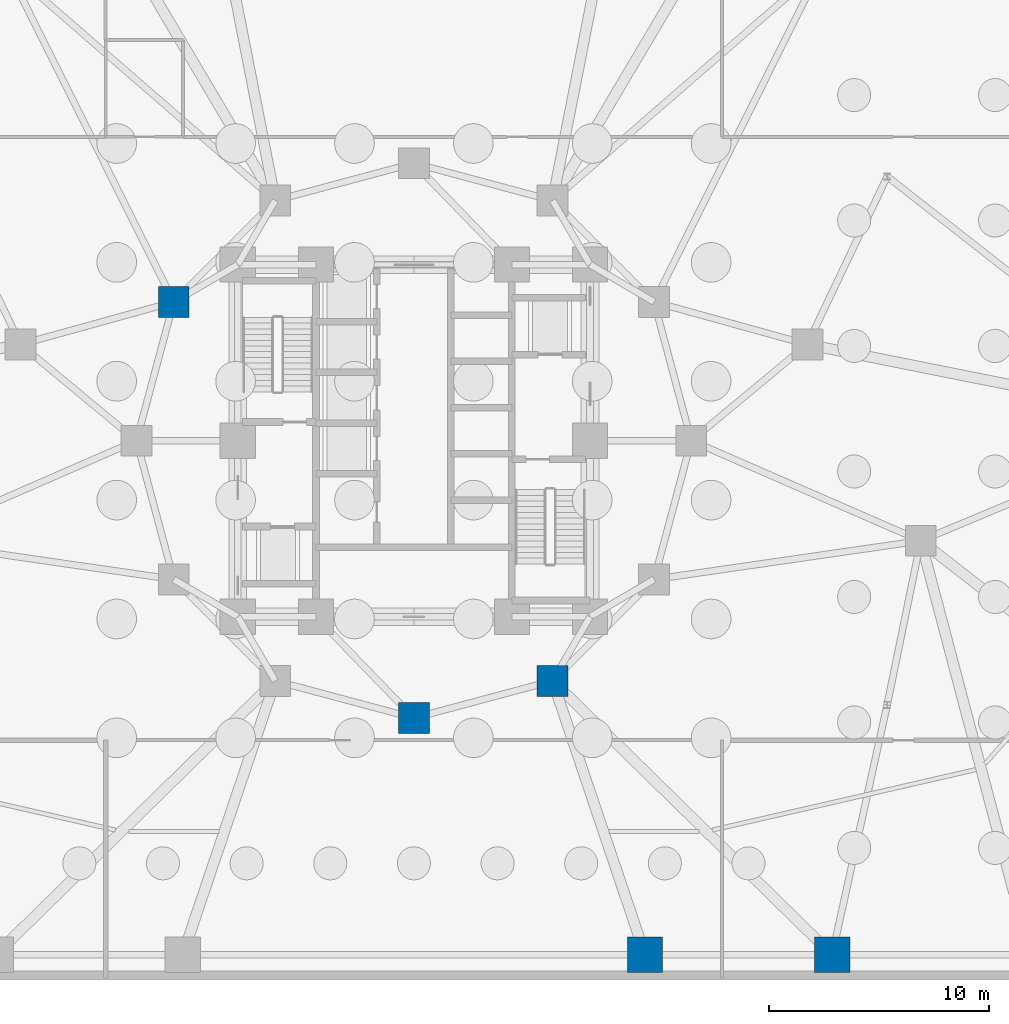
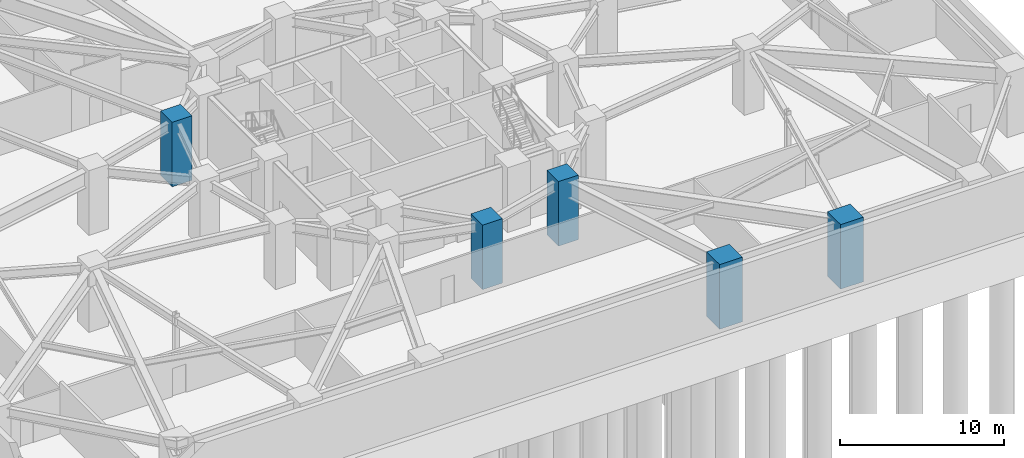
# One storey, part 3 of 20: 5 columns.
"""IFC4 building model written with IfcOpenShell, lengths in metres."""

from ifc_helpers import new_model, si_unit, direction, frame, origin, origin_2d, place, context, subcontext, project, spatial, rectangle, extrude, material, material_profile, profile_set, type_object, element, save


model = new_model("IFC4")

# Units and contexts
model_context = context("Model", 3, precision=1e-05, world=origin(), true_north=direction((0.0, 1.0)))
body_context = subcontext(model_context, "Body", "Model", "MODEL_VIEW")
ifc_project = project(units=[si_unit("LENGTHUNIT", "METRE"), si_unit("AREAUNIT", "SQUARE_METRE"), si_unit("VOLUMEUNIT", "CUBIC_METRE"), si_unit("PLANEANGLEUNIT", "RADIAN"), si_unit("MASSUNIT", "GRAM", prefix="KILO")], contexts=[model_context])

# Site, building, storey
site_placement = place(None, origin())
site = spatial("IfcSite", under=ifc_project, at=site_placement, CompositionType="ELEMENT")
building_placement = place(site_placement, origin())
building = spatial("IfcBuilding", under=site, at=building_placement, Name="Terralouvre Media Tower", CompositionType="ELEMENT")
storey_placement = place(building_placement, frame((0.0, 0.0, -9.60009765625)))
storey = spatial("IfcBuildingStorey", under=building, at=storey_placement, Name="B02", CompositionType="ELEMENT", Elevation=-9.60009765625)

# Columns
ifc_material_1 = material(Name="Concrete C60/75", Category="concrete")
ifc_material_profile_1 = material_profile(ifc_material_1, rectangle(XDim=1.39990234375, YDim=1.39990234375, at=origin_2d()), Name="RC 1400x1400")
ifc_profile_set_1 = profile_set([ifc_material_profile_1], Name="Concrete C60/75")
column_type_1 = type_object("IfcColumnType", Name="Structural Column C-RC1400 (RC 1400x1400)", PredefinedType="COLUMN", material=ifc_profile_set_1)
for number, where, z_axis, x_axis, name in (
    (1, (-10.911865234375, 6.300048828125, 0.0), (0.0, 0.0, 1.0), (1.0, 0.0, 0.0), "B02 Mega-Frame Column MC06"),
    (2, (0.0, -12.60009765625, 0.0), (0.0, 0.0, 1.0), (1.0, 0.0, 0.0), "B02 Mega-Frame Column MC10"),
    (3, (6.300048828125, -10.911865234375, 0.0), (0.0, 0.0, 1.0), (1.0, 0.0, 0.0), "B02 Mega-Frame Column MC11"),
):
    element("IfcColumn", number, at=place(storey_placement, frame(where, z_axis=z_axis, x_axis=x_axis)), inside=storey, type_object=column_type_1, Name=name, PredefinedType="COLUMN", context=body_context, shape_type="SweptSolid", body=[
        extrude(rectangle(XDim=1.39990234375, YDim=1.39990234375, at=origin_2d()), origin(), (0.0, 0.0, 1.0), 4.800048828125),
    ])
ifc_material_2 = material(Name="Concrete C60/75", Category="concrete")
ifc_material_profile_2 = material_profile(ifc_material_2, rectangle(XDim=1.60009765625, YDim=1.60009765625, at=origin_2d()), Name="RC 1600x1600")
ifc_profile_set_2 = profile_set([ifc_material_profile_2], Name="Concrete C60/75")
column_type_2 = type_object("IfcColumnType", Name="Structural Column C-RC1600 (RC 1600x1600)", PredefinedType="COLUMN", material=ifc_profile_set_2)
for number, where, z_axis, x_axis, name in (
    (4, (10.5, -23.35009765625, 0.0), (0.0, 0.0, 1.0), (1.0, 0.0, 0.0), "B02 Perimeter Mega-Column PM04"),
    (5, (19.0, -23.35009765625, 0.0), (0.0, 0.0, 1.0), (1.0, 0.0, 0.0), "B02 Perimeter Mega-Column PM05"),
):
    element("IfcColumn", number, at=place(storey_placement, frame(where, z_axis=z_axis, x_axis=x_axis)), inside=storey, type_object=column_type_2, Name=name, PredefinedType="COLUMN", context=body_context, shape_type="SweptSolid", body=[
        extrude(rectangle(XDim=1.60009765625, YDim=1.60009765625, at=origin_2d()), origin(), (0.0, 0.0, 1.0), 4.800048828125),
    ])

save(model, "model.ifc")
